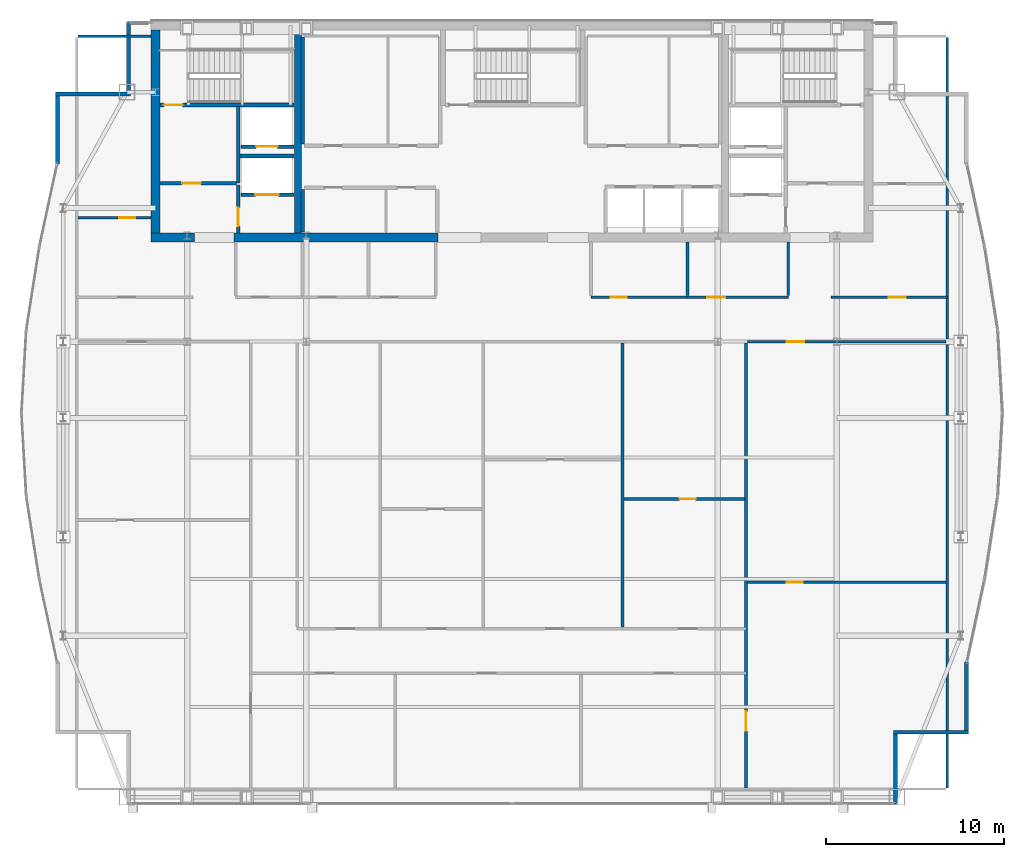
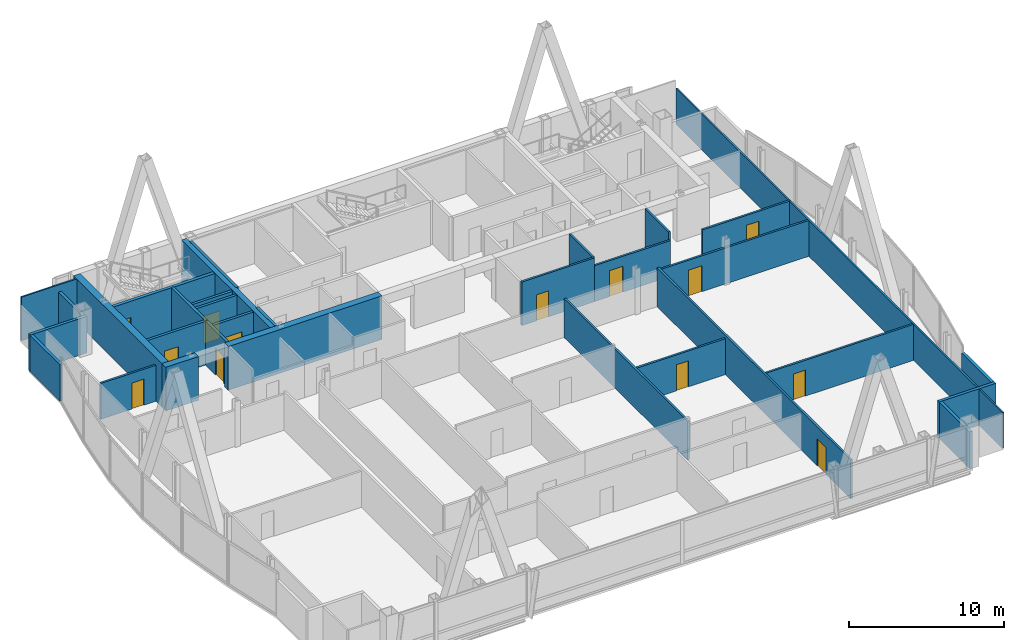
# One storey, part 25 of 29: 32 walls, 13 doors, 13 openings.
"""IFC4 building model written with IfcOpenShell, lengths in metres."""

from ifc_helpers import new_model, si_unit, direction, frame, frame_2d, origin, place, context, subcontext, project, spatial, rectangle, extrude, material, layer, layer_set, type_object, element, fill, save


model = new_model("IFC4")

# Units and contexts
model_context = context("Model", 3, precision=1e-05, world=origin(), true_north=direction((0.0, 1.0)))
body_context = subcontext(model_context, "Body", "Model", "MODEL_VIEW")
ifc_project = project(units=[si_unit("LENGTHUNIT", "METRE"), si_unit("AREAUNIT", "SQUARE_METRE"), si_unit("VOLUMEUNIT", "CUBIC_METRE"), si_unit("PLANEANGLEUNIT", "RADIAN"), si_unit("MASSUNIT", "GRAM", prefix="KILO")], contexts=[model_context])

# Site, building, storey
site_placement = place(None, origin())
site = spatial("IfcSite", under=ifc_project, at=site_placement, CompositionType="ELEMENT")
building_placement = place(site_placement, origin())
building = spatial("IfcBuilding", under=site, at=building_placement, Name="Khoronbel Lancet Exchange", CompositionType="ELEMENT")
storey_placement = place(building_placement, frame((0.0, 0.0, 314.60009765625)))
storey = spatial("IfcBuildingStorey", under=building, at=storey_placement, Name="L81", CompositionType="ELEMENT", Elevation=314.60009765625)

# Walls
ifc_material_1 = material(Name="Concrete C60/75", Category="concrete")
ifc_layer_1 = layer(ifc_material_1, 0.5, Name="Concrete C60/75")
ifc_layer_set_1 = layer_set([ifc_layer_1], Name="Concrete C60/75")
wall_type_1 = type_object("IfcWallType", Name="WL-CW4", PredefinedType="SHEAR", material=ifc_layer_set_1)
wall_1_placement = place(storey_placement, frame((16.449951171875, 41.800048828125, 0.0), z_axis=(0.0, 0.0, 1.0), x_axis=(0.0, 1.0, 0.0)))
element("IfcWall", 1, at=wall_1_placement, inside=storey, type_object=wall_type_1, Name="Level L81 rear core west shear wall", PredefinedType="SHEAR", context=body_context, shape_type="SweptSolid", body=[
    extrude(rectangle(XDim=11.39990234375, YDim=0.5, at=frame_2d((5.699951171875, 0.0))), origin(), (0.0, 0.0, 1.0), 3.43994140625),
])
wall_2_placement = place(storey_placement, frame((18.64990234375, 41.550048828125, 0.0), z_axis=(0.0, 0.0, 1.0), x_axis=(-1.0, 0.0, 0.0)))
element("IfcWall", 2, at=wall_2_placement, inside=storey, type_object=wall_type_1, Name="Level L81 rear core south shear wall pier P1", PredefinedType="SHEAR", context=body_context, shape_type="SweptSolid", body=[
    extrude(rectangle(XDim=2.449951171875, YDim=0.5, at=frame_2d((1.22509765625, 0.0))), origin(), (0.0, 0.0, 1.0), 3.43994140625),
])
wall_3_placement = place(storey_placement, frame((32.300048828125, 41.550048828125, 0.0), z_axis=(0.0, 0.0, 1.0), x_axis=(-1.0, 0.0, 0.0)))
element("IfcWall", 3, at=wall_3_placement, inside=storey, type_object=wall_type_1, Name="Level L81 rear core south shear wall pier P2", PredefinedType="SHEAR", context=body_context, shape_type="SweptSolid", body=[
    extrude(rectangle(XDim=11.449951171875, YDim=0.5, at=frame_2d((5.72509765625, 0.0))), origin(), (0.0, 0.0, 1.0), 3.43994140625),
])
ifc_material_2 = material(Name="Precast concrete C40/50", Category="concrete")
ifc_layer_2 = layer(ifc_material_2, 0.25, Name="Precast concrete C40/50")
ifc_layer_set_2 = layer_set([ifc_layer_2], Name="Precast concrete C40/50")
wall_type_2 = type_object("IfcWallType", Name="WL-EXT250", PredefinedType="SOLIDWALL", material=ifc_layer_set_2)
wall_4_placement = place(storey_placement, frame((10.93994140625, 45.67041015625, 0.0), z_axis=(0.0, 0.0, 1.0), x_axis=(0.0, 1.0, 0.0)))
element("IfcWall", 4, at=wall_4_placement, inside=storey, type_object=wall_type_2, Name="Level L81 notched-corner limestone pier 10", PredefinedType="SOLIDWALL", context=body_context, shape_type="SweptSolid", body=[
    extrude(rectangle(XDim=3.82958984375, YDim=0.219970703125, at=frame_2d((1.914794921875, 0.0))), origin(), (0.0, 0.0, 1.0), 2.8798828125),
])
wall_5_placement = place(storey_placement, frame((10.830078125, 49.610107421875, 0.0), z_axis=(0.0, 0.0, 1.0), x_axis=(1.0, 0.0, 0.0)))
element("IfcWall", 5, at=wall_5_placement, inside=storey, type_object=wall_type_2, Name="Level L81 notched-corner limestone pier 11", PredefinedType="SOLIDWALL", context=body_context, shape_type="SweptSolid", body=[
    extrude(rectangle(XDim=4.219970703125, YDim=0.219970703125, at=frame_2d((2.10986328125, 0.0))), origin(), (0.0, 0.0, 1.0), 2.8798828125),
])
wall_6_placement = place(storey_placement, frame((14.93994140625, 49.719970703125, 0.0), z_axis=(0.0, 0.0, 1.0), x_axis=(0.0, 1.0, 0.0)))
element("IfcWall", 6, at=wall_6_placement, inside=storey, type_object=wall_type_2, Name="Level L81 notched-corner limestone pier 12", PredefinedType="SOLIDWALL", context=body_context, shape_type="SweptSolid", body=[
    extrude(rectangle(XDim=3.909912109375, YDim=0.219970703125, at=frame_2d((1.955078125, 0.0))), origin(), (0.0, 0.0, 1.0), 2.8798828125),
])
wall_7_placement = place(storey_placement, frame((61.9599609375, 17.7294921875, 0.0), z_axis=(0.0, 0.0, 1.0), x_axis=(0.0, -1.0, 0.0)))
element("IfcWall", 7, at=wall_7_placement, inside=storey, type_object=wall_type_2, Name="Level L81 notched-corner limestone pier 23", PredefinedType="SOLIDWALL", context=body_context, shape_type="SweptSolid", body=[
    extrude(rectangle(XDim=3.82958984375, YDim=0.219970703125, at=frame_2d((1.914794921875, 0.0))), origin(), (0.0, 0.0, 1.0), 2.8798828125),
])
wall_8_placement = place(storey_placement, frame((62.070068359375, 13.7900390625, 0.0), z_axis=(0.0, 0.0, 1.0), x_axis=(-1.0, 0.0, 0.0)))
element("IfcWall", 8, at=wall_8_placement, inside=storey, type_object=wall_type_2, Name="Level L81 notched-corner limestone pier 24", PredefinedType="SOLIDWALL", context=body_context, shape_type="SweptSolid", body=[
    extrude(rectangle(XDim=4.219970703125, YDim=0.219970703125, at=frame_2d((2.10986328125, 0.0))), origin(), (0.0, 0.0, 1.0), 2.8798828125),
])
wall_9_placement = place(storey_placement, frame((57.9599609375, 13.679931640625, 0.0), z_axis=(0.0, 0.0, 1.0), x_axis=(0.0, -1.0, 0.0)))
element("IfcWall", 9, at=wall_9_placement, inside=storey, type_object=wall_type_2, Name="Level L81 notched-corner limestone pier 25", PredefinedType="SOLIDWALL", context=body_context, shape_type="SweptSolid", body=[
    extrude(rectangle(XDim=3.909912109375, YDim=0.219970703125, at=frame_2d((1.955078125, 0.0))), origin(), (0.0, 0.0, 1.0), 2.8798828125),
])
ifc_material_3 = material(Name="Acoustic Metal-Stud & Mineral-Wool Gypsum Partition 120 mm", Category="gypsum")
ifc_layer_3 = layer(ifc_material_3, 0.1201171875, Name="Acoustic Metal-Stud & Mineral-Wool Gypsum Partition 120 mm")
ifc_layer_set_3 = layer_set([ifc_layer_3], Name="Acoustic Metal-Stud & Mineral-Wool Gypsum Partition 120 mm")
wall_type_3 = type_object("IfcWallType", Name="WL-PRT120", PredefinedType="PARTITIONING", material=ifc_layer_set_3)
for number, where, z_axis, x_axis, name in (
    (10, (46.300048828125, 38.280029296875, 0.0), (0.0, 0.0, 1.0), (0.0, 1.0, 0.0), "Level L81 interior partition PW-NP-M"),
    (11, (51.949951171875, 38.280029296875, 0.0), (0.0, 0.0, 1.0), (0.0, 1.0, 0.0), "Level L81 interior partition PW-NP-1"),
):
    element("IfcWall", number, at=place(storey_placement, frame(where, z_axis=z_axis, x_axis=x_axis)), inside=storey, type_object=wall_type_3, Name=name, PredefinedType="PARTITIONING", context=body_context, shape_type="SweptSolid", body=[
        extrude(rectangle(XDim=3.02001953125, YDim=0.14990234375, at=frame_2d((1.510009765625, 0.0))), origin(), (0.0, 0.0, 1.0), 3.43994140625),
    ])

# Wall, opening, door
wall_10_placement = place(storey_placement, frame((12.094970703125, 42.64990234375, 0.0), z_axis=(0.0, 0.0, 1.0), x_axis=(1.0, 0.0, 0.0)))
wall_10 = element("IfcWall", 12, at=wall_10_placement, inside=storey, type_object=wall_type_3, Name="Level L81 interior partition PW-NW-H", PredefinedType="PARTITIONING", context=body_context, shape_type="SweptSolid", body=[
    extrude(rectangle(XDim=4.10498046875, YDim=0.14990234375, at=frame_2d((2.052490234375, 0.0))), origin(), (0.0, 0.0, 1.0), 2.829833984375),
])
opening_1_placement = place(wall_10_placement, frame((2.320068359375, 0.0, 0.0)))
opening_1 = element("IfcOpeningElement", 13, at=opening_1_placement, cuts=wall_10, Name="Opening D5", PredefinedType="OPENING", context=body_context, shape_type="SweptSolid", body=[
    extrude(rectangle(XDim=0.89990234375, YDim=2.050048828125, at=frame_2d((0.449951171875, 1.02490234375))), frame((0.0, 0.0849609375, 0.0), z_axis=(0.0, -1.0, 0.0), x_axis=(1.0, 0.0, 0.0)), (0.0, 0.0, 1.0), 0.169921875),
])
ifc_material_4 = material(Name="Acoustic Timber Pantry & Support Door", Category="wood")
door_type_1 = type_object("IfcDoorType", Name="DR-D5", OperationType="NOTDEFINED", PredefinedType="DOOR", material=ifc_material_4)
door_1_placement = place(opening_1_placement, origin())
door_1 = element("IfcDoor", 14, at=door_1_placement, inside=storey, type_object=door_type_1, Name="NW north room door L81-1", OperationType="SINGLE_SWING_RIGHT", OverallHeight=2.050048828125, OverallWidth=0.89990234375, PredefinedType="DOOR", context=body_context, shape_type="SweptSolid", body=[
    extrude(rectangle(XDim=0.89990234375, YDim=2.050048828125, at=frame_2d((0.449951171875, 1.02490234375))), frame((0.0, 0.02490234375, 0.0), z_axis=(0.0, -1.0, 0.0), x_axis=(1.0, 0.0, 0.0)), (0.0, 0.0, 1.0), 0.050048828125),
])
fill(opening_1, door_1)

wall_11_placement = place(storey_placement, frame((49.659912109375, 22.199951171875, 0.0), z_axis=(0.0, 0.0, 1.0), x_axis=(1.0, 0.0, 0.0)))
wall_11 = element("IfcWall", 15, at=wall_11_placement, inside=storey, type_object=wall_type_3, Name="Level L81 interior partition PW-Z4-EH", PredefinedType="PARTITIONING", context=body_context, shape_type="SweptSolid", body=[
    extrude(rectangle(XDim=11.14501953125, YDim=0.14990234375, at=frame_2d((5.572509765625, 0.0))), origin(), (0.0, 0.0, 1.0), 2.829833984375),
])
opening_2_placement = place(wall_11_placement, frame((2.199951171875, 0.0, 0.0)))
opening_2 = element("IfcOpeningElement", 16, at=opening_2_placement, cuts=wall_11, Name="Opening D5", PredefinedType="OPENING", context=body_context, shape_type="SweptSolid", body=[
    extrude(rectangle(XDim=0.89990234375, YDim=2.050048828125, at=frame_2d((0.449951171875, 1.02490234375))), frame((0.0, 0.0849609375, 0.0), z_axis=(0.0, -1.0, 0.0), x_axis=(1.0, 0.0, 0.0)), (0.0, 0.0, 1.0), 0.169921875),
])
door_2_placement = place(opening_2_placement, origin())
door_2 = element("IfcDoor", 17, at=door_2_placement, inside=storey, type_object=door_type_1, Name="East lens inner door L81-1", OperationType="SINGLE_SWING_LEFT", OverallHeight=2.050048828125, OverallWidth=0.89990234375, PredefinedType="DOOR", context=body_context, shape_type="SweptSolid", body=[
    extrude(rectangle(XDim=0.89990234375, YDim=2.050048828125, at=frame_2d((0.449951171875, 1.02490234375))), frame((0.0, 0.02490234375, 0.0), z_axis=(0.0, -1.0, 0.0), x_axis=(1.0, 0.0, 0.0)), (0.0, 0.0, 1.0), 0.050048828125),
])
fill(opening_2, door_2)

wall_12_placement = place(storey_placement, frame((42.729736328125, 26.8740234375, 0.0), z_axis=(0.0, 0.0, 1.0), x_axis=(1.0, 0.0, 0.0)))
wall_12 = element("IfcWall", 18, at=wall_12_placement, inside=storey, type_object=wall_type_3, Name="Level L81 interior partition PW-Z4C-H4", PredefinedType="PARTITIONING", context=body_context, shape_type="SweptSolid", body=[
    extrude(rectangle(XDim=6.770263671875, YDim=0.14990234375, at=frame_2d((3.38525390625, 0.0))), origin(), (0.0, 0.0, 1.0), 2.829833984375),
])
opening_3_placement = place(wall_12_placement, frame((3.11865234375, 0.0, 0.0)))
opening_3 = element("IfcOpeningElement", 19, at=opening_3_placement, cuts=wall_12, Name="Opening D5", PredefinedType="OPENING", context=body_context, shape_type="SweptSolid", body=[
    extrude(rectangle(XDim=0.89990234375, YDim=2.050048828125, at=frame_2d((0.449951171875, 1.02490234375))), frame((0.0, 0.0849609375, 0.0), z_axis=(0.0, -1.0, 0.0), x_axis=(1.0, 0.0, 0.0)), (0.0, 0.0, 1.0), 0.169921875),
])
door_3_placement = place(opening_3_placement, origin())
door_3 = element("IfcDoor", 20, at=door_3_placement, inside=storey, type_object=door_type_1, Name="Z4C inner door 4 L81-1", OperationType="SINGLE_SWING_RIGHT", OverallHeight=2.050048828125, OverallWidth=0.89990234375, PredefinedType="DOOR", context=body_context, shape_type="SweptSolid", body=[
    extrude(rectangle(XDim=0.89990234375, YDim=2.050048828125, at=frame_2d((0.449951171875, 1.02490234375))), frame((0.0, 0.02490234375, 0.0), z_axis=(0.0, -1.0, 0.0), x_axis=(1.0, 0.0, 0.0)), (0.0, 0.0, 1.0), 0.050048828125),
])
fill(opening_3, door_3)

# Walls
wall_13_placement = place(storey_placement, frame((60.8701171875, 10.6650390625, 0.0), z_axis=(0.0, 0.0, 1.0), x_axis=(0.0, 1.0, 0.0)))
element("IfcWall", 21, at=wall_13_placement, inside=storey, type_object=wall_type_3, Name="Level L81 interior partition PW-LIN-E", PredefinedType="PARTITIONING", context=body_context, shape_type="SweptSolid", body=[
    extrude(rectangle(XDim=42.10986328125, YDim=0.1201171875, at=frame_2d((21.054931640625, 0.0))), origin(), (0.0, 0.0, 1.0), 2.829833984375),
])
wall_14_placement = place(storey_placement, frame((12.094970703125, 52.840087890625, 0.0), z_axis=(0.0, 0.0, 1.0), x_axis=(1.0, 0.0, 0.0)))
element("IfcWall", 22, at=wall_14_placement, inside=storey, type_object=wall_type_3, Name="Level L81 interior partition PW-LIN-NW", PredefinedType="PARTITIONING", context=body_context, shape_type="SweptSolid", body=[
    extrude(rectangle(XDim=4.10498046875, YDim=0.1201171875, at=frame_2d((2.052490234375, 0.0))), origin(), (0.0, 0.0, 1.0), 3.43994140625),
])

# Wall, opening, door
ifc_material_5 = material(Name="Fire-Rated Twin-Stud Acoustic Gypsum Partition 150 mm", Category="gypsum")
ifc_layer_4 = layer(ifc_material_5, 0.14990234375, Name="Fire-Rated Twin-Stud Acoustic Gypsum Partition 150 mm")
ifc_layer_set_4 = layer_set([ifc_layer_4], Name="Fire-Rated Twin-Stud Acoustic Gypsum Partition 150 mm")
wall_type_4 = type_object("IfcWallType", Name="WL-PRT150C", PredefinedType="PARTITIONING", material=ifc_layer_set_4)
wall_15_placement = place(storey_placement, frame((40.8798828125, 38.199951171875, 0.0), z_axis=(0.0, 0.0, 1.0), x_axis=(1.0, 0.0, 0.0)))
wall_15 = element("IfcWall", 23, at=wall_15_placement, inside=storey, type_object=wall_type_4, Name="Level L81 interior partition PW-NP-S1", PredefinedType="PARTITIONING", context=body_context, shape_type="SweptSolid", body=[
    extrude(rectangle(XDim=5.420166015625, YDim=0.14990234375, at=frame_2d((2.7099609375, 0.0))), origin(), (0.0, 0.0, 1.0), 3.43994140625),
])
opening_4_placement = place(wall_15_placement, frame((1.10009765625, 0.0, 0.0)))
opening_4 = element("IfcOpeningElement", 24, at=opening_4_placement, cuts=wall_15, Name="Opening D5", PredefinedType="OPENING", context=body_context, shape_type="SweptSolid", body=[
    extrude(rectangle(XDim=0.89990234375, YDim=2.050048828125, at=frame_2d((0.449951171875, 1.02490234375))), frame((0.0, 0.0849609375, 0.0), z_axis=(0.0, -1.0, 0.0), x_axis=(1.0, 0.0, 0.0)), (0.0, 0.0, 1.0), 0.169921875),
])
door_4_placement = place(opening_4_placement, origin())
door_4 = element("IfcDoor", 25, at=door_4_placement, inside=storey, type_object=door_type_1, Name="Floor refreshment pantry door L81-1", OperationType="SINGLE_SWING_RIGHT", OverallHeight=2.050048828125, OverallWidth=0.89990234375, PredefinedType="DOOR", context=body_context, shape_type="SweptSolid", body=[
    extrude(rectangle(XDim=0.89990234375, YDim=2.050048828125, at=frame_2d((0.449951171875, 1.02490234375))), frame((0.0, 0.02490234375, 0.0), z_axis=(0.0, -1.0, 0.0), x_axis=(1.0, 0.0, 0.0)), (0.0, 0.0, 1.0), 0.050048828125),
])
fill(opening_4, door_4)

wall_16_placement = place(storey_placement, frame((46.300048828125, 38.199951171875, 0.0), z_axis=(0.0, 0.0, 1.0), x_axis=(1.0, 0.0, 0.0)))
wall_16 = element("IfcWall", 26, at=wall_16_placement, inside=storey, type_object=wall_type_4, Name="Level L81 interior partition PW-NP-S2", PredefinedType="PARTITIONING", context=body_context, shape_type="SweptSolid", body=[
    extrude(rectangle(XDim=5.64990234375, YDim=0.14990234375, at=frame_2d((2.824951171875, 0.0))), origin(), (0.0, 0.0, 1.0), 2.829833984375),
])
opening_5_placement = place(wall_16_placement, frame((1.10009765625, 0.0, 0.0)))
opening_5 = element("IfcOpeningElement", 27, at=opening_5_placement, cuts=wall_16, Name="Opening D2", PredefinedType="OPENING", context=body_context, shape_type="SweptSolid", body=[
    extrude(rectangle(XDim=1.0, YDim=2.050048828125, at=frame_2d((0.5, 1.02490234375))), frame((0.0, 0.0849609375, 0.0), z_axis=(0.0, -1.0, 0.0), x_axis=(1.0, 0.0, 0.0)), (0.0, 0.0, 1.0), 0.169921875),
])
ifc_material_6 = material(Name="Acoustic Veneered Timber & Bronze Frame Door", Category="wood")
door_type_2 = type_object("IfcDoorType", Name="DR-D2", OperationType="NOTDEFINED", PredefinedType="DOOR", material=ifc_material_6)
door_5_placement = place(opening_5_placement, origin())
door_5 = element("IfcDoor", 28, at=door_5_placement, inside=storey, type_object=door_type_2, Name="Floor store door L81-1", OperationType="SINGLE_SWING_LEFT", OverallHeight=2.050048828125, OverallWidth=1.0, PredefinedType="DOOR", context=body_context, shape_type="SweptSolid", body=[
    extrude(rectangle(XDim=1.0, YDim=2.050048828125, at=frame_2d((0.5, 1.02490234375))), frame((0.0, 0.02490234375, 0.0), z_axis=(0.0, -1.0, 0.0), x_axis=(1.0, 0.0, 0.0)), (0.0, 0.0, 1.0), 0.050048828125),
])
fill(opening_5, door_5)

wall_17_placement = place(storey_placement, frame((54.35009765625, 38.199951171875, 0.0), z_axis=(0.0, 0.0, 1.0), x_axis=(1.0, 0.0, 0.0)))
wall_17 = element("IfcWall", 29, at=wall_17_placement, inside=storey, type_object=wall_type_4, Name="Level L81 interior partition PW-NE-S", PredefinedType="PARTITIONING", context=body_context, shape_type="SweptSolid", body=[
    extrude(rectangle(XDim=6.52001953125, YDim=0.14990234375, at=frame_2d((3.260009765625, 0.0))), origin(), (0.0, 0.0, 1.0), 2.829833984375),
])
opening_6_placement = place(wall_17_placement, frame((3.25, 0.0, 0.0)))
opening_6 = element("IfcOpeningElement", 30, at=opening_6_placement, cuts=wall_17, Name="Opening D1", PredefinedType="OPENING", context=body_context, shape_type="SweptSolid", body=[
    extrude(rectangle(XDim=0.949951171875, YDim=2.050048828125, at=frame_2d((0.47509765625, 1.02490234375))), frame((0.0, 0.0849609375, 0.0), z_axis=(0.0, -1.0, 0.0), x_axis=(1.0, 0.0, 0.0)), (0.0, 0.0, 1.0), 0.169921875),
])
door_type_3 = type_object("IfcDoorType", Name="DR-D1", OperationType="NOTDEFINED", PredefinedType="DOOR", material=ifc_material_6)
door_6_placement = place(opening_6_placement, origin())
door_6 = element("IfcDoor", 31, at=door_6_placement, inside=storey, type_object=door_type_3, Name="NE corner room door L81-1", OperationType="SINGLE_SWING_LEFT", OverallHeight=2.050048828125, OverallWidth=0.949951171875, PredefinedType="DOOR", context=body_context, shape_type="SweptSolid", body=[
    extrude(rectangle(XDim=0.949951171875, YDim=2.050048828125, at=frame_2d((0.47509765625, 1.02490234375))), frame((0.0, 0.02490234375, 0.0), z_axis=(0.0, -1.0, 0.0), x_axis=(1.0, 0.0, 0.0)), (0.0, 0.0, 1.0), 0.050048828125),
])
fill(opening_6, door_6)

wall_18_placement = place(storey_placement, frame((49.580078125, 10.6650390625, 0.0), z_axis=(0.0, 0.0, 1.0), x_axis=(0.0, 1.0, 0.0)))
wall_18 = element("IfcWall", 32, at=wall_18_placement, inside=storey, type_object=wall_type_4, Name="Level L81 interior partition PW-Z4-PE", PredefinedType="PARTITIONING", context=body_context, shape_type="SweptSolid", body=[
    extrude(rectangle(XDim=24.955078125, YDim=0.14990234375, at=frame_2d((12.4775390625, 0.0))), origin(), (0.0, 0.0, 1.0), 3.06982421875),
])
opening_7_placement = place(wall_18_placement, frame((3.199951171875, 0.0, 0.0)))
opening_7 = element("IfcOpeningElement", 33, at=opening_7_placement, cuts=wall_18, Name="Opening D6", PredefinedType="OPENING", context=body_context, shape_type="SweptSolid", body=[
    extrude(rectangle(XDim=1.10009765625, YDim=2.10009765625, at=frame_2d((0.550048828125, 1.050048828125))), frame((0.0, 0.0849609375, 0.0), z_axis=(0.0, -1.0, 0.0), x_axis=(1.0, 0.0, 0.0)), (0.0, 0.0, 1.0), 0.169921875),
])
ifc_material_7 = material(Name="Acoustic Bronze-Veneer Executive Suite Door", Category="wood")
door_type_4 = type_object("IfcDoorType", Name="DR-D6", OperationType="NOTDEFINED", PredefinedType="DOOR", material=ifc_material_7)
door_7_placement = place(opening_7_placement, origin())
door_7 = element("IfcDoor", 34, at=door_7_placement, inside=storey, type_object=door_type_4, Name="East lens south door L81-1", OperationType="SINGLE_SWING_LEFT", OverallHeight=2.10009765625, OverallWidth=1.10009765625, PredefinedType="DOOR", context=body_context, shape_type="SweptSolid", body=[
    extrude(rectangle(XDim=1.10009765625, YDim=2.10009765625, at=frame_2d((0.550048828125, 1.050048828125))), frame((0.0, 0.02490234375, 0.0), z_axis=(0.0, -1.0, 0.0), x_axis=(1.0, 0.0, 0.0)), (0.0, 0.0, 1.0), 0.050048828125),
])
fill(opening_7, door_7)

wall_19_placement = place(storey_placement, frame((49.659912109375, 35.699951171875, 0.0), z_axis=(0.0, 0.0, 1.0), x_axis=(1.0, 0.0, 0.0)))
wall_19 = element("IfcWall", 35, at=wall_19_placement, inside=storey, type_object=wall_type_4, Name="Level L81 interior partition PW-Z4-EN2", PredefinedType="PARTITIONING", context=body_context, shape_type="SweptSolid", body=[
    extrude(rectangle(XDim=11.14501953125, YDim=0.14990234375, at=frame_2d((5.572509765625, 0.0))), origin(), (0.0, 0.0, 1.0), 2.829833984375),
])
opening_8_placement = place(wall_19_placement, frame((2.199951171875, 0.0, 0.0)))
opening_8 = element("IfcOpeningElement", 36, at=opening_8_placement, cuts=wall_19, Name="Opening D2", PredefinedType="OPENING", context=body_context, shape_type="SweptSolid", body=[
    extrude(rectangle(XDim=1.0, YDim=2.050048828125, at=frame_2d((0.5, 1.02490234375))), frame((0.0, 0.0849609375, 0.0), z_axis=(0.0, -1.0, 0.0), x_axis=(1.0, 0.0, 0.0)), (0.0, 0.0, 1.0), 0.169921875),
])
door_8_placement = place(opening_8_placement, origin())
door_8 = element("IfcDoor", 37, at=door_8_placement, inside=storey, type_object=door_type_2, Name="East lens north door L81-1", OperationType="SINGLE_SWING_RIGHT", OverallHeight=2.050048828125, OverallWidth=1.0, PredefinedType="DOOR", context=body_context, shape_type="SweptSolid", body=[
    extrude(rectangle(XDim=1.0, YDim=2.050048828125, at=frame_2d((0.5, 1.02490234375))), frame((0.0, 0.02490234375, 0.0), z_axis=(0.0, -1.0, 0.0), x_axis=(1.0, 0.0, 0.0)), (0.0, 0.0, 1.0), 0.050048828125),
])
fill(opening_8, door_8)

# Wall
wall_20_placement = place(storey_placement, frame((42.649658203125, 19.68505859375, 0.0), z_axis=(0.0, 0.0, 1.0), x_axis=(0.0, 1.0, 0.0)))
element("IfcWall", 38, at=wall_20_placement, inside=storey, type_object=wall_type_4, Name="Level L81 interior partition PW-Z4C-V3", PredefinedType="PARTITIONING", context=body_context, shape_type="SweptSolid", body=[
    extrude(rectangle(XDim=15.93505859375, YDim=0.14990234375, at=frame_2d((7.967529296875, 0.0))), origin(), (0.0, 0.0, 1.0), 3.06982421875),
])

# Wall, opening, door
ifc_material_8 = material(Name="Autoclaved Aerated Concrete Blockwork 200 mm", Category="masonry")
ifc_layer_5 = layer(ifc_material_8, 0.199951171875, Name="Autoclaved Aerated Concrete Blockwork 200 mm")
ifc_layer_set_5 = layer_set([ifc_layer_5], Name="Autoclaved Aerated Concrete Blockwork 200 mm")
wall_type_5 = type_object("IfcWallType", Name="WL-PRT200", PredefinedType="PARTITIONING", material=ifc_layer_set_5)
wall_21_placement = place(storey_placement, frame((24.2099609375, 43.949951171875, 0.0), z_axis=(0.0, 0.0, 1.0), x_axis=(-1.0, 0.0, 0.0)))
wall_21 = element("IfcWall", 39, at=wall_21_placement, inside=storey, type_object=wall_type_5, Name="Level L81 elevator hoistway landing front wall SVLW", PredefinedType="PARTITIONING", context=body_context, shape_type="SweptSolid", body=[
    extrude(rectangle(XDim=2.969970703125, YDim=0.199951171875, at=frame_2d((1.48486328125, 0.0))), origin(), (0.0, 0.0, 1.0), 3.43994140625),
])
opening_9_placement = place(wall_21_placement, frame((0.860107421875, 0.0, 0.0)))
opening_9 = element("IfcOpeningElement", 40, at=opening_9_placement, cuts=wall_21, Name="Opening LD-SVL1", PredefinedType="OPENING", context=body_context, shape_type="SweptSolid", body=[
    extrude(rectangle(XDim=1.300048828125, YDim=2.179931640625, at=frame_2d((0.64990234375, 1.08984375))), frame((0.0, 0.10986328125, 0.0), z_axis=(0.0, -1.0, 0.0), x_axis=(1.0, 0.0, 0.0)), (0.0, 0.0, 1.0), 0.219970703125),
])
ifc_material_9 = material(Name="Heavy-Duty Bi-Parting Goods Lift Landing Door", Category="steel")
door_type_5 = type_object("IfcDoorType", Name="DR-LD-SVL", OperationType="NOTDEFINED", PredefinedType="DOOR", material=ifc_material_9)
door_9_placement = place(opening_9_placement, origin())
door_9 = element("IfcDoor", 41, at=door_9_placement, inside=storey, type_object=door_type_5, Name="Elevator landing sliding door LD-SVL1 L81", OperationType="SLIDING_TO_LEFT", OverallHeight=2.179931640625, OverallWidth=1.300048828125, PredefinedType="DOOR", context=body_context, shape_type="SweptSolid", body=[
    extrude(rectangle(XDim=1.300048828125, YDim=2.179931640625, at=frame_2d((0.64990234375, 1.08984375))), frame((0.0, 0.02490234375, 0.0), z_axis=(0.0, -1.0, 0.0), x_axis=(1.0, 0.0, 0.0)), (0.0, 0.0, 1.0), 0.050048828125),
])
fill(opening_9, door_9)

wall_22_placement = place(storey_placement, frame((24.2099609375, 46.64990234375, 0.0), z_axis=(0.0, 0.0, 1.0), x_axis=(-1.0, 0.0, 0.0)))
wall_22 = element("IfcWall", 42, at=wall_22_placement, inside=storey, type_object=wall_type_5, Name="Level L81 elevator hoistway landing front wall FFLW", PredefinedType="PARTITIONING", context=body_context, shape_type="SweptSolid", body=[
    extrude(rectangle(XDim=2.969970703125, YDim=0.199951171875, at=frame_2d((1.48486328125, 0.0))), origin(), (0.0, 0.0, 1.0), 3.43994140625),
])
opening_10_placement = place(wall_22_placement, frame((0.909912109375, 0.0, 0.0)))
opening_10 = element("IfcOpeningElement", 43, at=opening_10_placement, cuts=wall_22, Name="Opening LD-FFL1", PredefinedType="OPENING", context=body_context, shape_type="SweptSolid", body=[
    extrude(rectangle(XDim=1.199951171875, YDim=2.179931640625, at=frame_2d((0.60009765625, 1.08984375))), frame((0.0, 0.10986328125, 0.0), z_axis=(0.0, -1.0, 0.0), x_axis=(1.0, 0.0, 0.0)), (0.0, 0.0, 1.0), 0.219970703125),
])
ifc_material_10 = material(Name="Fire-Rated Stainless Bi-Parting Firefighting Lift Door", Category="steel")
door_type_6 = type_object("IfcDoorType", Name="DR-LD-FFL", OperationType="NOTDEFINED", PredefinedType="DOOR", material=ifc_material_10)
door_10_placement = place(opening_10_placement, origin())
door_10 = element("IfcDoor", 44, at=door_10_placement, inside=storey, type_object=door_type_6, Name="Elevator landing sliding door LD-FFL1 L81", OperationType="SLIDING_TO_LEFT", OverallHeight=2.179931640625, OverallWidth=1.199951171875, PredefinedType="DOOR", context=body_context, shape_type="SweptSolid", body=[
    extrude(rectangle(XDim=1.199951171875, YDim=2.179931640625, at=frame_2d((0.60009765625, 1.08984375))), frame((0.0, 0.02490234375, 0.0), z_axis=(0.0, -1.0, 0.0), x_axis=(1.0, 0.0, 0.0)), (0.0, 0.0, 1.0), 0.050048828125),
])
fill(opening_10, door_10)

# Wall
wall_23_placement = place(storey_placement, frame((21.10009765625, 44.60009765625, 0.0), z_axis=(0.0, 0.0, 1.0), x_axis=(0.0, 1.0, 0.0)))
element("IfcWall", 45, at=wall_23_placement, inside=storey, type_object=wall_type_5, Name="Level L81 interior partition CW-FFLW-E", PredefinedType="PARTITIONING", context=body_context, shape_type="SweptSolid", body=[
    extrude(rectangle(XDim=4.2998046875, YDim=0.199951171875, at=frame_2d((2.14990234375, 0.0))), origin(), (0.0, 0.0, 1.0), 3.43994140625),
])

# Wall, opening, door
wall_24_placement = place(storey_placement, frame((16.699951171875, 44.60009765625, 0.0), z_axis=(0.0, 0.0, 1.0), x_axis=(1.0, 0.0, 0.0)))
wall_24 = element("IfcWall", 46, at=wall_24_placement, inside=storey, type_object=wall_type_5, Name="Level L81 interior partition CW-FFLW-S", PredefinedType="PARTITIONING", context=body_context, shape_type="SweptSolid", body=[
    extrude(rectangle(XDim=4.300048828125, YDim=0.199951171875, at=frame_2d((2.14990234375, 0.0))), origin(), (0.0, 0.0, 1.0), 3.43994140625),
])
opening_11_placement = place(wall_24_placement, frame((1.25, 0.0, 0.0)))
opening_11 = element("IfcOpeningElement", 47, at=opening_11_placement, cuts=wall_24, Name="Opening FD1", PredefinedType="OPENING", context=body_context, shape_type="SweptSolid", body=[
    extrude(rectangle(XDim=1.050048828125, YDim=2.14990234375, at=frame_2d((0.52490234375, 1.074951171875))), frame((0.0, 0.10986328125, 0.0), z_axis=(0.0, -1.0, 0.0), x_axis=(1.0, 0.0, 0.0)), (0.0, 0.0, 1.0), 0.219970703125),
])
ifc_material_11 = material(Name="Fire-Rated Painted Steel Door Assembly", Category="steel")
door_type_7 = type_object("IfcDoorType", Name="DR-FD1", OperationType="NOTDEFINED", PredefinedType="DOOR", material=ifc_material_11)
door_11_placement = place(opening_11_placement, origin())
door_11 = element("IfcDoor", 48, at=door_11_placement, inside=storey, type_object=door_type_7, Name="West firefighting lobby FD90S door L81-1", OperationType="SINGLE_SWING_LEFT", OverallHeight=2.14990234375, OverallWidth=1.050048828125, PredefinedType="DOOR", context=body_context, shape_type="SweptSolid", body=[
    extrude(rectangle(XDim=1.050048828125, YDim=2.14990234375, at=frame_2d((0.52490234375, 1.074951171875))), frame((0.0, 0.02490234375, 0.0), z_axis=(0.0, -1.0, 0.0), x_axis=(1.0, 0.0, 0.0)), (0.0, 0.0, 1.0), 0.050048828125),
])
fill(opening_11, door_11)

# Wall
wall_25_placement = place(storey_placement, frame((21.199951171875, 46.1201171875, 0.0), z_axis=(0.0, 0.0, 1.0), x_axis=(1.0, 0.0, 0.0)))
element("IfcWall", 49, at=wall_25_placement, inside=storey, type_object=wall_type_5, Name="Level L81 interior partition CW-FFL1-S", PredefinedType="PARTITIONING", context=body_context, shape_type="SweptSolid", body=[
    extrude(rectangle(XDim=3.02001953125, YDim=0.199951171875, at=frame_2d((1.510009765625, 0.0))), origin(), (0.0, 0.0, 1.0), 3.43994140625),
])

# Wall, opening, door
wall_26_placement = place(storey_placement, frame((21.10009765625, 41.800048828125, 0.0), z_axis=(0.0, 0.0, 1.0), x_axis=(0.0, 1.0, 0.0)))
wall_26 = element("IfcWall", 50, at=wall_26_placement, inside=storey, type_object=wall_type_5, Name="Level L81 interior partition CW-SVLW-W", PredefinedType="PARTITIONING", context=body_context, shape_type="SweptSolid", body=[
    extrude(rectangle(XDim=2.695068359375, YDim=0.199951171875, at=frame_2d((1.34765625, 0.0))), origin(), (0.0, 0.0, 1.0), 3.43994140625),
])
opening_12_placement = place(wall_26_placement, frame((0.3798828125, 0.0, 0.0)))
opening_12 = element("IfcOpeningElement", 51, at=opening_12_placement, cuts=wall_26, Name="Opening FD1", PredefinedType="OPENING", context=body_context, shape_type="SweptSolid", body=[
    extrude(rectangle(XDim=1.050048828125, YDim=2.14990234375, at=frame_2d((0.52490234375, 1.074951171875))), frame((0.0, 0.10986328125, 0.0), z_axis=(0.0, -1.0, 0.0), x_axis=(1.0, 0.0, 0.0)), (0.0, 0.0, 1.0), 0.219970703125),
])
door_12_placement = place(opening_12_placement, origin())
door_12 = element("IfcDoor", 52, at=door_12_placement, inside=storey, type_object=door_type_7, Name="West service lift lobby door L81-1", OperationType="SINGLE_SWING_RIGHT", OverallHeight=2.14990234375, OverallWidth=1.050048828125, PredefinedType="DOOR", context=body_context, shape_type="SweptSolid", body=[
    extrude(rectangle(XDim=1.050048828125, YDim=2.14990234375, at=frame_2d((0.52490234375, 1.074951171875))), frame((0.0, 0.02490234375, 0.0), z_axis=(0.0, -1.0, 0.0), x_axis=(1.0, 0.0, 0.0)), (0.0, 0.0, 1.0), 0.050048828125),
])
fill(opening_12, door_12)

# Walls
wall_27_placement = place(storey_placement, frame((24.699951171875, 46.804931640625, 0.0), z_axis=(0.0, 0.0, 1.0), x_axis=(0.0, 1.0, 0.0)))
element("IfcWall", 53, at=wall_27_placement, inside=storey, type_object=wall_type_5, Name="Level L81 interior partition CW-PL-RW", PredefinedType="PARTITIONING", context=body_context, shape_type="SweptSolid", body=[
    extrude(rectangle(XDim=5.989990234375, YDim=0.199951171875, at=frame_2d((2.9951171875, 0.0))), origin(), (0.0, 0.0, 1.0), 3.43994140625),
])
wall_28_placement = place(storey_placement, frame((24.699951171875, 41.85009765625, 0.0), z_axis=(0.0, 0.0, 1.0), x_axis=(0.0, 1.0, 0.0)))
element("IfcWall", 54, at=wall_28_placement, inside=storey, type_object=wall_type_5, Name="Level L81 interior partition CW-PM-RW", PredefinedType="PARTITIONING", context=body_context, shape_type="SweptSolid", body=[
    extrude(rectangle(XDim=2.39501953125, YDim=0.199951171875, at=frame_2d((1.197509765625, 0.0))), origin(), (0.0, 0.0, 1.0), 3.43994140625),
])
ifc_layer_6 = layer(ifc_material_1, 0.39990234375, Name="Concrete C60/75")
ifc_layer_set_6 = layer_set([ifc_layer_6], Name="Concrete C60/75")
wall_type_6 = type_object("IfcWallType", Name="WL-SW2", PredefinedType="SHEAR", material=ifc_layer_set_6)
wall_29_placement = place(storey_placement, frame((24.449951171875, 41.800048828125, 0.0), z_axis=(0.0, 0.0, 1.0), x_axis=(0.0, 1.0, 0.0)))
element("IfcWall", 55, at=wall_29_placement, inside=storey, type_object=wall_type_6, Name="Level L81 rear core internal spine shear wall IW", PredefinedType="SHEAR", context=body_context, shape_type="SweptSolid", body=[
    extrude(rectangle(XDim=11.39990234375, YDim=0.39990234375, at=frame_2d((5.699951171875, 0.0))), origin(), (0.0, 0.0, 1.0), 3.43994140625),
])

# Wall, opening, door
ifc_layer_7 = layer(ifc_material_1, 0.260009765625, Name="Concrete C60/75")
ifc_layer_set_7 = layer_set([ifc_layer_7], Name="Concrete C60/75")
wall_type_7 = type_object("IfcWallType", Name="WL-SW3", PredefinedType="SHEAR", material=ifc_layer_set_7)
wall_30_placement = place(storey_placement, frame((16.699951171875, 48.97998046875, 0.0), z_axis=(0.0, 0.0, 1.0), x_axis=(1.0, 0.0, 0.0)))
wall_30 = element("IfcWall", 56, at=wall_30_placement, inside=storey, type_object=wall_type_7, Name="Level L81 west stairwell structural south wall", PredefinedType="SHEAR", context=body_context, shape_type="SweptSolid", body=[
    extrude(rectangle(XDim=7.52001953125, YDim=0.239990234375, at=frame_2d((3.760009765625, 0.0))), origin(), (0.0, 0.0, 1.0), 3.43994140625),
])
opening_13_placement = place(wall_30_placement, frame((0.219970703125, 0.0, 0.0)))
opening_13 = element("IfcOpeningElement", 57, at=opening_13_placement, cuts=wall_30, Name="Opening SD1", PredefinedType="OPENING", context=body_context, shape_type="SweptSolid", body=[
    extrude(rectangle(XDim=1.050048828125, YDim=2.14990234375, at=frame_2d((0.52490234375, 1.074951171875))), frame((0.0, 0.1298828125, 0.0), z_axis=(0.0, -1.0, 0.0), x_axis=(1.0, 0.0, 0.0)), (0.0, 0.0, 1.0), 0.260009765625),
])
ifc_material_12 = material(Name="Fire-Rated Steel Stairwell Door Assembly", Category="steel")
door_type_8 = type_object("IfcDoorType", Name="DR-SD1", OperationType="NOTDEFINED", PredefinedType="DOOR", material=ifc_material_12)
door_13_placement = place(opening_13_placement, origin())
door_13 = element("IfcDoor", 58, at=door_13_placement, inside=storey, type_object=door_type_8, Name="Protected exit stair ST1 door L81", OperationType="SINGLE_SWING_LEFT", OverallHeight=2.14990234375, OverallWidth=1.050048828125, PredefinedType="DOOR", context=body_context, shape_type="SweptSolid", body=[
    extrude(rectangle(XDim=1.050048828125, YDim=2.14990234375, at=frame_2d((0.52490234375, 1.074951171875))), frame((0.0, 0.02490234375, 0.0), z_axis=(0.0, -1.0, 0.0), x_axis=(1.0, 0.0, 0.0)), (0.0, 0.0, 1.0), 0.050048828125),
])
fill(opening_13, door_13)

save(model, "model.ifc")
